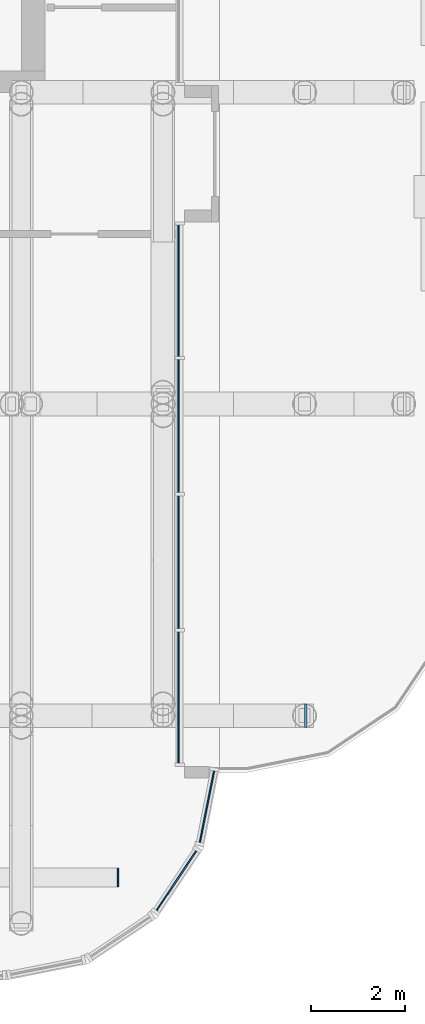
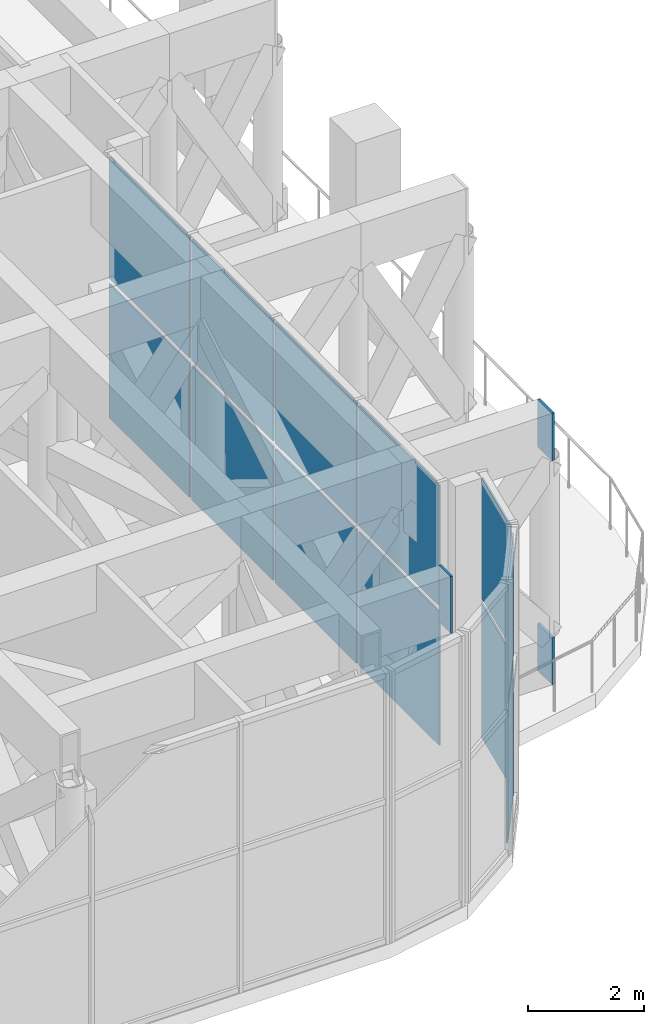
# One storey, part 13 of 25: 15 plates, 3 elements without a shape of their own.
"""IFC4 building model written with IfcOpenShell, lengths in metres."""

import ifcopenshell
import ifcopenshell.guid

model = None  # the IFC model being written
_history = None  # IfcOwnerHistory: only IFC2X3 demands one
_inside = {}  # id of a spatial element -> (the spatial element, [elements in it])
_under = {}  # id of a project, library or spatial element -> (it, [spatial elements below it])
_declared = {}  # id of a project -> (the project, [libraries it declares])
_typed = {}  # id of a type object -> (the type object, [elements of that type])
_made_of = {}  # id of a material, layer set ... -> (it, [elements and type objects made of it])


def new_model(schema):
    """Start an empty IFC model of exactly this schema.

    Asked for "IFC4X3", IfcOpenShell would pick the latest addendum, in which some entities
    have other attributes; the version numbers below select the first issue.
    IFC2X3 requires an IfcOwnerHistory on every rooted entity: one is made here for all.
    """
    global model, _history
    if schema == "IFC4X3":
        model = ifcopenshell.file(schema_version=(4, 3, 0, 0))
    else:
        model = ifcopenshell.file(schema=schema)
    _inside.clear()
    _under.clear()
    _declared.clear()
    _typed.clear()
    _made_of.clear()
    _history = None
    if model.schema == "IFC2X3":
        org = make("IfcOrganization", Name="unknown")
        user = make(
            "IfcPersonAndOrganization",
            ThePerson=make("IfcPerson", FamilyName="unknown"),
            TheOrganization=org,
        )
        app = make(
            "IfcApplication",
            ApplicationDeveloper=org,
            Version="unknown",
            ApplicationFullName="unknown",
            ApplicationIdentifier="unknown",
        )
        _history = make(
            "IfcOwnerHistory",
            OwningUser=user,
            OwningApplication=app,
            ChangeAction="ADDED",
            CreationDate=0,
        )
    return model


def make(cls, **values):
    """One entity of the class cls with the attributes given. An attribute that is None is left unset."""
    return model.create_entity(
        cls, **{name: value for name, value in values.items() if value is not None}
    )


def rooted(cls, **values):
    """An entity with a GlobalId (a new one), such as an element, a storey or a relation."""
    return make(cls, GlobalId=ifcopenshell.guid.new(), OwnerHistory=_history, **values)


def si_unit(unit_type, name, prefix=None):
    """IfcSIUnit, for example si_unit("LENGTHUNIT", "METRE", prefix="MILLI")."""
    return make("IfcSIUnit", UnitType=unit_type, Prefix=prefix, Name=name)


def assignment(units):
    """IfcUnitAssignment: the units of a project."""
    return None if units is None else make("IfcUnitAssignment", Units=units)


def point(xyz):
    """IfcCartesianPoint."""
    return None if xyz is None else make("IfcCartesianPoint", Coordinates=xyz)


def direction(xyz):
    """IfcDirection."""
    return None if xyz is None else make("IfcDirection", DirectionRatios=xyz)


def frame(location, z_axis=None, x_axis=None):
    """IfcAxis2Placement3D, a coordinate frame: its origin and axes. An axis left out is left unset."""
    return make(
        "IfcAxis2Placement3D",
        Location=point(location),
        Axis=direction(z_axis),
        RefDirection=direction(x_axis),
    )


def frame_2d(location, x_axis=None):
    """IfcAxis2Placement2D, a coordinate frame in the plane: its origin and x axis."""
    return make(
        "IfcAxis2Placement2D", Location=point(location), RefDirection=direction(x_axis)
    )


def origin():
    """The frame at (0, 0, 0) with its axes left unset."""
    return frame((0.0, 0.0, 0.0))


def origin_2d():
    """The frame at (0, 0) in the plane with its x axis left unset."""
    return frame_2d((0.0, 0.0))


def place(relative_to, where):
    """IfcLocalPlacement: puts the frame where relative to a parent placement (None: the world)."""
    return make(
        "IfcLocalPlacement", PlacementRelTo=relative_to, RelativePlacement=where
    )


def context(
    kind, dimensions, precision=None, world=None, true_north=None, identifier=None
):
    """IfcGeometricRepresentationContext, for example the 3D "Model" context."""
    return make(
        "IfcGeometricRepresentationContext",
        ContextIdentifier=identifier,
        ContextType=kind,
        CoordinateSpaceDimension=dimensions,
        Precision=precision,
        WorldCoordinateSystem=world,
        TrueNorth=true_north,
    )


def subcontext(parent, identifier, kind, view, scale=None):
    """IfcGeometricRepresentationSubContext, for example "Body" below "Model"."""
    return make(
        "IfcGeometricRepresentationSubContext",
        ContextIdentifier=identifier,
        ContextType=kind,
        ParentContext=parent,
        TargetScale=scale,
        TargetView=view,
    )


def project(units=None, contexts=None):
    """IfcProject with its units and contexts."""
    return rooted(
        "IfcProject",
        Name="project",
        RepresentationContexts=contexts,
        UnitsInContext=assignment(units),
    )


def spatial(cls, under=None, at=None, **own):
    """A site, building, storey or space (cls), placed at a placement, below another one or the project."""
    s = rooted(cls, ObjectPlacement=at, **own)
    if under is not None:
        _under.setdefault(under.id(), (under, []))[1].append(s)
    return s


def profile(cls, at=None, kind="AREA", **sizes):
    """A parametric profile (cls). Its sizes go by their IFC names, for example OverallWidth=200.0."""
    return make(cls, ProfileType=kind, Position=at, **sizes)


def rectangle(**sizes):
    """IfcRectangleProfileDef."""
    return profile("IfcRectangleProfileDef", **sizes)


def extrude(swept, where, along, depth):
    """IfcExtrudedAreaSolid: the profile swept, set in the frame where, extruded along a direction by depth."""
    return make(
        "IfcExtrudedAreaSolid",
        SweptArea=swept,
        Position=where,
        ExtrudedDirection=direction(along),
        Depth=depth,
    )


def shape(context_of_items, identifier, shape_type, items):
    """IfcShapeRepresentation: the items that make up one representation, for example the "Body"."""
    return make(
        "IfcShapeRepresentation",
        ContextOfItems=context_of_items,
        RepresentationIdentifier=identifier,
        RepresentationType=shape_type,
        Items=items,
    )


def material(Name=None, Category=None):
    """IfcMaterial."""
    return make("IfcMaterial", Name=Name, Category=Category)


def layer(
    of_material, thickness, ventilated=None, Name=None, Category=None, Priority=None
):
    """IfcMaterialLayer: one layer of a wall or slab, of a material (None: an air gap)."""
    return make(
        "IfcMaterialLayer",
        Material=of_material,
        LayerThickness=thickness,
        IsVentilated=ventilated,
        Name=Name,
        Category=Category,
        Priority=Priority,
    )


def layer_set(layers, Name=None):
    """IfcMaterialLayerSet."""
    return make("IfcMaterialLayerSet", MaterialLayers=layers, LayerSetName=Name)


def made_of(thing, what):
    """Note that an element or type object is made of a material, layer set ...; save() writes the relation."""
    if what is not None:
        _made_of.setdefault(what.id(), (what, []))[1].append(thing)
    return thing


def type_object(cls, material=None, **own):
    """A type object (cls), such as IfcWallType, which elements share."""
    return made_of(rooted(cls, **own), material)


def element(
    cls,
    number,
    at=None,
    inside=None,
    cuts=None,
    type_object=None,
    material=None,
    context=None,
    identifier="Body",
    shape_type=None,
    held_by="IfcProductDefinitionShape",
    body=None,
    shapes=None,
    **own,
):
    """One element of the class cls, such as IfcWall. Its Tag is "e" and its number.

    at: its placement. inside: the storey or other place that contains it. cuts: it is an
    opening in that element (IfcRelVoidsElement). A single representation is given by context,
    identifier, shape_type and body (its items); several are given by shapes. held_by: the class
    of the entity that holds the representations. save() writes the other relations.
    """
    e = rooted(cls, Tag="e%d" % number, ObjectPlacement=at, **own)
    if body is not None:
        shapes = [shape(context, identifier, shape_type, body)]
    if shapes is not None:
        e.Representation = make(held_by, Representations=shapes)
    if inside is not None:
        _inside.setdefault(inside.id(), (inside, []))[1].append(e)
    if cuts is not None:
        rooted(
            "IfcRelVoidsElement", RelatingBuildingElement=cuts, RelatedOpeningElement=e
        )
    if type_object is not None:
        _typed.setdefault(type_object.id(), (type_object, []))[1].append(e)
    return made_of(e, material)


def aggregate(whole, parts):
    """IfcRelAggregates: a whole, such as a stair, and the parts it consists of."""
    return rooted("IfcRelAggregates", RelatingObject=whole, RelatedObjects=parts)


def save(model, path):
    """Write the relations noted so far, then the file.

    IfcRelAggregates (storeys below a building ...), IfcRelContainedInSpatialStructure (elements
    in a storey), IfcRelDefinesByType, IfcRelAssociatesMaterial and IfcRelDeclares: one each for
    every whole, place, type object, material and project.
    """
    for whole, parts in _under.values():
        aggregate(whole, parts)
    for where, things in _inside.values():
        rooted(
            "IfcRelContainedInSpatialStructure",
            RelatedElements=things,
            RelatingStructure=where,
        )
    for kind, things in _typed.values():
        rooted("IfcRelDefinesByType", RelatedObjects=things, RelatingType=kind)
    for what, things in _made_of.values():
        rooted("IfcRelAssociatesMaterial", RelatedObjects=things, RelatingMaterial=what)
    for by, libraries in _declared.values():
        rooted("IfcRelDeclares", RelatingContext=by, RelatedDefinitions=libraries)
    model.write(path)


model = new_model("IFC4")

# Units and contexts
model_context = context("Model", 3, precision=1e-05, world=origin(), true_north=direction((0.0, 1.0)))
body_context = subcontext(model_context, "Body", "Model", "MODEL_VIEW")
ifc_project = project(units=[si_unit("LENGTHUNIT", "METRE"), si_unit("AREAUNIT", "SQUARE_METRE"), si_unit("VOLUMEUNIT", "CUBIC_METRE"), si_unit("PLANEANGLEUNIT", "RADIAN"), si_unit("MASSUNIT", "GRAM", prefix="KILO")], contexts=[model_context])

# Site, building, storey
site_placement = place(None, origin())
site = spatial("IfcSite", under=ifc_project, at=site_placement, CompositionType="ELEMENT")
building_placement = place(site_placement, origin())
building = spatial("IfcBuilding", under=site, at=building_placement, Name="Torana Hotel and Residences", CompositionType="ELEMENT")
storey_placement = place(building_placement, frame((0.0, 0.0, 106.800048828125)))
storey = spatial("IfcBuildingStorey", under=building, at=storey_placement, Name="L27", CompositionType="ELEMENT", Elevation=106.800048828125)

# Curtain wall, plates
ifc_material_1 = material(Name="Dark anodised aluminium", Category="aluminium")
ifc_layer_1 = layer(ifc_material_1, 0.199951171875)
ifc_layer_set_1 = layer_set([ifc_layer_1], Name="CW2 SKY LOBBY UNITISED CURTAIN WALL")
curtain_wall_type = type_object("IfcCurtainWallType", Name="CW2 SKY LOBBY UNITISED CURTAIN WALL", PredefinedType="NOTDEFINED", material=ifc_layer_set_1)
curtain_wall_1_placement = place(storey_placement, origin())
curtain_wall_1 = element("IfcCurtainWall", 1, at=curtain_wall_1_placement, inside=storey, type_object=curtain_wall_type, Name="Curtain wall CW2 L27 e0.17-1", PredefinedType="NOTDEFINED")
ifc_material_2 = material(Name="Glass dark tinted double glazed unit", Category="glass")
ifc_layer_2 = layer(ifc_material_2, 0.031982421875)
ifc_layer_set_2 = layer_set([ifc_layer_2], Name="CW2 DARK GLASS PANEL 32")
plate_type_1 = type_object("IfcPlateType", Name="CW2 DARK GLASS PANEL 32", PredefinedType="CURTAIN_PANEL", material=ifc_layer_set_2)
plate_1_placement = place(storey_placement, frame((27.28662109375, -31.696533203125, 0.1201171875), z_axis=(0.0, 0.0, 1.0), x_axis=(0.555563713278, 0.831473968618, 0.0)))
plate_1 = element("IfcPlate", 2, at=plate_1_placement, type_object=plate_type_1, Name="CW2 panel 1.1", PredefinedType="CURTAIN_PANEL", context=body_context, shape_type="SweptSolid", body=[
    extrude(rectangle(XDim=1.516357421875, YDim=0.031982421875, at=origin_2d()), origin(), (0.0, 0.0, 1.0), 2.820068359375),
])
plate_2_placement = place(storey_placement, frame((27.28662109375, -31.696533203125, 3.059814453125), z_axis=(0.0, 0.0, 1.0), x_axis=(0.555563713278, 0.831473968618, 0.0)))
plate_2 = element("IfcPlate", 3, at=plate_2_placement, type_object=plate_type_1, Name="CW2 panel 1.2", PredefinedType="CURTAIN_PANEL", context=body_context, shape_type="SweptSolid", body=[
    extrude(rectangle(XDim=1.516357421875, YDim=0.031982421875, at=origin_2d()), origin(), (0.0, 0.0, 1.0), 2.5400390625),
])
aggregate(curtain_wall_1, [plate_1, plate_2])

curtain_wall_2_placement = place(storey_placement, origin())
curtain_wall_2 = element("IfcCurtainWall", 4, at=curtain_wall_2_placement, inside=storey, type_object=curtain_wall_type, Name="Curtain wall CW2 L27 e0.18-1", PredefinedType="NOTDEFINED")
plate_3_placement = place(storey_placement, frame((27.93310546875, -30.129150390625, 0.1201171875), z_axis=(0.0, 0.0, 1.0), x_axis=(0.195063848566, 0.980790545928, 0.0)))
plate_3 = element("IfcPlate", 5, at=plate_3_placement, type_object=plate_type_1, Name="CW2 panel 1.1", PredefinedType="CURTAIN_PANEL", context=body_context, shape_type="SweptSolid", body=[
    extrude(rectangle(XDim=1.54150390625, YDim=0.031982421875, at=origin_2d()), origin(), (0.0, 0.0, 1.0), 2.820068359375),
])
plate_4_placement = place(storey_placement, frame((27.93310546875, -30.129150390625, 3.059814453125), z_axis=(0.0, 0.0, 1.0), x_axis=(0.195063848566, 0.980790545928, 0.0)))
plate_4 = element("IfcPlate", 6, at=plate_4_placement, type_object=plate_type_1, Name="CW2 panel 1.2", PredefinedType="CURTAIN_PANEL", context=body_context, shape_type="SweptSolid", body=[
    extrude(rectangle(XDim=1.54150390625, YDim=0.031982421875, at=origin_2d()), origin(), (0.0, 0.0, 1.0), 2.5400390625),
])
aggregate(curtain_wall_2, [plate_3, plate_4])

curtain_wall_3_placement = place(storey_placement, origin())
curtain_wall_3 = element("IfcCurtainWall", 7, at=curtain_wall_3_placement, inside=storey, type_object=curtain_wall_type, Name="Curtain wall CW2 L27 e0.19-1", PredefinedType="NOTDEFINED")
plate_5_placement = place(storey_placement, frame((27.330078125, -27.816162109375, 0.1201171875), z_axis=(0.0, 0.0, 1.0), x_axis=(0.0, 1.0, 0.0)))
plate_5 = element("IfcPlate", 8, at=plate_5_placement, type_object=plate_type_1, Name="CW2 panel 1.1", PredefinedType="CURTAIN_PANEL", context=body_context, shape_type="SweptSolid", body=[
    extrude(rectangle(XDim=2.7783203125, YDim=0.031982421875, at=origin_2d()), origin(), (0.0, 0.0, 1.0), 2.820068359375),
])
plate_6_placement = place(storey_placement, frame((27.330078125, -27.816162109375, 3.059814453125), z_axis=(0.0, 0.0, 1.0), x_axis=(0.0, 1.0, 0.0)))
plate_6 = element("IfcPlate", 9, at=plate_6_placement, type_object=plate_type_1, Name="CW2 panel 1.2", PredefinedType="CURTAIN_PANEL", context=body_context, shape_type="SweptSolid", body=[
    extrude(rectangle(XDim=2.7783203125, YDim=0.031982421875, at=origin_2d()), origin(), (0.0, 0.0, 1.0), 2.5400390625),
])
plate_7_placement = place(storey_placement, frame((27.330078125, -24.9501953125, 0.1201171875), z_axis=(0.0, 0.0, 1.0), x_axis=(0.0, 1.0, 0.0)))
plate_7 = element("IfcPlate", 10, at=plate_7_placement, type_object=plate_type_1, Name="CW2 panel 2.1", PredefinedType="CURTAIN_PANEL", context=body_context, shape_type="SweptSolid", body=[
    extrude(rectangle(XDim=2.8134765625, YDim=0.031982421875, at=origin_2d()), origin(), (0.0, 0.0, 1.0), 2.820068359375),
])
plate_8_placement = place(storey_placement, frame((27.330078125, -24.9501953125, 3.059814453125), z_axis=(0.0, 0.0, 1.0), x_axis=(0.0, 1.0, 0.0)))
plate_8 = element("IfcPlate", 11, at=plate_8_placement, type_object=plate_type_1, Name="CW2 panel 2.2", PredefinedType="CURTAIN_PANEL", context=body_context, shape_type="SweptSolid", body=[
    extrude(rectangle(XDim=2.8134765625, YDim=0.031982421875, at=origin_2d()), origin(), (0.0, 0.0, 1.0), 2.5400390625),
])
plate_9_placement = place(storey_placement, frame((27.330078125, -22.06689453125, 0.1201171875), z_axis=(0.0, 0.0, 1.0), x_axis=(0.0, 1.0, 0.0)))
plate_9 = element("IfcPlate", 12, at=plate_9_placement, type_object=plate_type_1, Name="CW2 panel 3.1", PredefinedType="CURTAIN_PANEL", context=body_context, shape_type="SweptSolid", body=[
    extrude(rectangle(XDim=2.8134765625, YDim=0.031982421875, at=origin_2d()), origin(), (0.0, 0.0, 1.0), 2.820068359375),
])
plate_10_placement = place(storey_placement, frame((27.330078125, -22.06689453125, 3.059814453125), z_axis=(0.0, 0.0, 1.0), x_axis=(0.0, 1.0, 0.0)))
plate_10 = element("IfcPlate", 13, at=plate_10_placement, type_object=plate_type_1, Name="CW2 panel 3.2", PredefinedType="CURTAIN_PANEL", context=body_context, shape_type="SweptSolid", body=[
    extrude(rectangle(XDim=2.8134765625, YDim=0.031982421875, at=origin_2d()), origin(), (0.0, 0.0, 1.0), 2.5400390625),
])
plate_11_placement = place(storey_placement, frame((27.330078125, -19.200927734375, 0.1201171875), z_axis=(0.0, 0.0, 1.0), x_axis=(0.0, 1.0, 0.0)))
plate_11 = element("IfcPlate", 14, at=plate_11_placement, type_object=plate_type_1, Name="CW2 panel 4.1", PredefinedType="CURTAIN_PANEL", context=body_context, shape_type="SweptSolid", body=[
    extrude(rectangle(XDim=2.7783203125, YDim=0.031982421875, at=origin_2d()), origin(), (0.0, 0.0, 1.0), 2.820068359375),
])
plate_12_placement = place(storey_placement, frame((27.330078125, -19.200927734375, 3.059814453125), z_axis=(0.0, 0.0, 1.0), x_axis=(0.0, 1.0, 0.0)))
plate_12 = element("IfcPlate", 15, at=plate_12_placement, type_object=plate_type_1, Name="CW2 panel 4.2", PredefinedType="CURTAIN_PANEL", context=body_context, shape_type="SweptSolid", body=[
    extrude(rectangle(XDim=2.7783203125, YDim=0.031982421875, at=origin_2d()), origin(), (0.0, 0.0, 1.0), 2.5400390625),
])
aggregate(curtain_wall_3, [plate_5, plate_6, plate_7, plate_8, plate_9, plate_10, plate_11, plate_12])

# Plates
ifc_material_3 = material(Name="Steel S355", Category="steel")
ifc_layer_3 = layer(ifc_material_3, 0.0400390625)
ifc_layer_set_3 = layer_set([ifc_layer_3], Name="STEEL END PLATE 40")
plate_type_2 = type_object("IfcPlateType", Name="STEEL END PLATE 40", PredefinedType="SHEET", material=ifc_layer_set_3)
plate_13_placement = place(storey_placement, frame((26.050048828125, -31.6298828125, 4.52001953125), z_axis=(0.0, 0.0, 1.0), x_axis=(1.0, 0.0, 0.0)))
element("IfcPlate", 16, at=plate_13_placement, inside=storey, type_object=plate_type_2, Name="End plate L27", PredefinedType="SHEET", context=body_context, shape_type="SweptSolid", body=[
    extrude(rectangle(XDim=0.0400390625, YDim=0.39990234375, at=origin_2d()), origin(), (0.0, 0.0, 1.0), 1.199951171875),
])
ifc_material_4 = material(Name="Steel S355", Category="steel")
ifc_layer_4 = layer(ifc_material_4, 0.050048828125)
ifc_layer_set_4 = layer_set([ifc_layer_4], Name="STEEL END PLATE 50")
plate_type_3 = type_object("IfcPlateType", Name="STEEL END PLATE 50", PredefinedType="SHEET", material=ifc_layer_set_4)
for number, where, z_axis, x_axis, name in (
    (17, (30.02490234375, -28.199951171875, 0.0), (0.0, 0.0, 1.0), (1.0, 0.0, 0.0), "End plate L27"),
    (18, (30.02490234375, -28.199951171875, 4.719970703125), (0.0, 0.0, 1.0), (1.0, 0.0, 0.0), "End plate L27"),
):
    element("IfcPlate", number, at=place(storey_placement, frame(where, z_axis=z_axis, x_axis=x_axis)), inside=storey, type_object=plate_type_3, Name=name, PredefinedType="SHEET", context=body_context, shape_type="SweptSolid", body=[
        extrude(rectangle(XDim=0.050048828125, YDim=0.5, at=origin_2d()), origin(), (0.0, 0.0, 1.0), 1.0),
    ])

save(model, "model.ifc")
